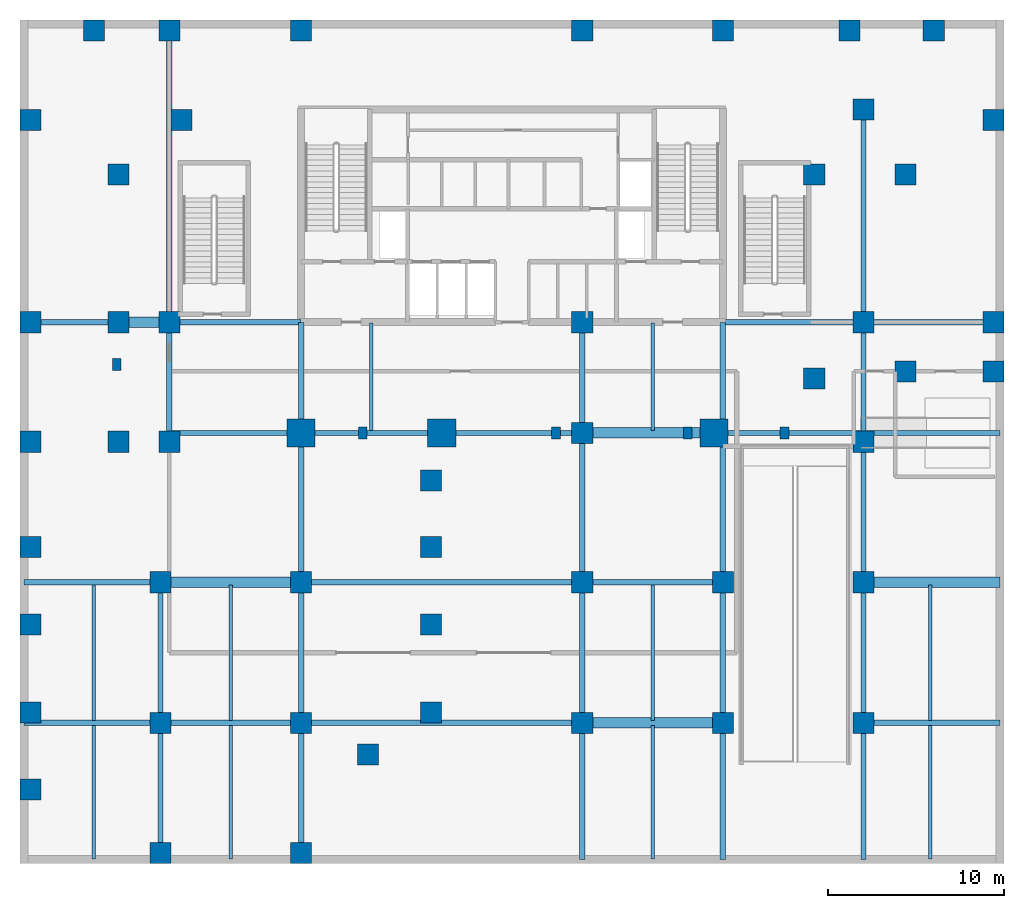
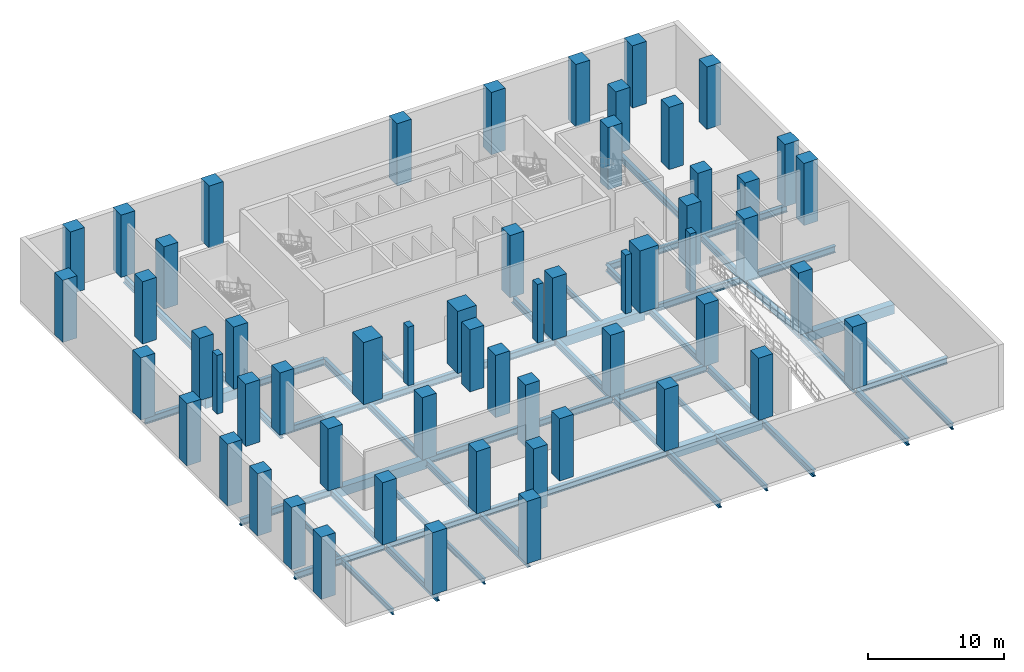
# One storey, part 1 of 5: 57 columns, 52 beams.
"""IFC4 building model written with IfcOpenShell, lengths in metres."""

from ifc_helpers import new_model, si_unit, direction, frame, origin, origin_2d, place, context, subcontext, project, spatial, rectangle, i_section, extrude, material, material_profile, profile_set, type_object, element, save


model = new_model("IFC4")

# Units and contexts
model_context = context("Model", 3, precision=1e-05, world=origin(), true_north=direction((0.0, 1.0)))
body_context = subcontext(model_context, "Body", "Model", "MODEL_VIEW")
ifc_project = project(units=[si_unit("LENGTHUNIT", "METRE"), si_unit("AREAUNIT", "SQUARE_METRE"), si_unit("VOLUMEUNIT", "CUBIC_METRE"), si_unit("PLANEANGLEUNIT", "RADIAN"), si_unit("MASSUNIT", "GRAM", prefix="KILO")], contexts=[model_context])

# Site, building, storey
site_placement = place(None, origin())
site = spatial("IfcSite", under=ifc_project, at=site_placement, CompositionType="ELEMENT")
building_placement = place(site_placement, origin())
building = spatial("IfcBuilding", under=site, at=building_placement, Name="Catumbela Crestline Tower", CompositionType="ELEMENT")
storey_placement = place(building_placement, frame((0.0, 0.0, -5.6)))
storey = spatial("IfcBuildingStorey", under=building, at=storey_placement, Name="B01", CompositionType="ELEMENT", Elevation=-5.6)

# Columns
ifc_material_1 = material(Name="Concrete C50/60", Category="concrete")
ifc_material_profile_1 = material_profile(ifc_material_1, rectangle(XDim=0.5, YDim=0.7, at=origin_2d()), Name="RC 500x700")
ifc_profile_set_1 = profile_set([ifc_material_profile_1], Name="Concrete C50/60")
column_type_1 = type_object("IfcColumnType", Name="CP-500", PredefinedType="PILASTER", material=ifc_profile_set_1)
for number, where, z_axis, x_axis, name in (
    (1, (19.5, 24.5, 0.0), (0.0, 0.0, 1.0), (1.0, 0.0, 0.0), "B01 Galleria Architectural Pilaster 11"),
    (2, (30.5, 24.5, 0.0), (0.0, 0.0, 1.0), (1.0, 0.0, 0.0), "B01 Galleria Architectural Pilaster 12"),
    (3, (38.0, 24.5, 0.0), (0.0, 0.0, 1.0), (1.0, 0.0, 0.0), "B01 Galleria Architectural Pilaster 13"),
    (4, (43.5, 24.5, 0.0), (0.0, 0.0, 1.0), (1.0, 0.0, 0.0), "B01 Galleria Architectural Pilaster 14"),
    (5, (5.5, 28.4, 0.0), (0.0, 0.0, 1.0), (1.0, 0.0, 0.0), "B01 Galleria Architectural Pilaster 15"),
):
    element("IfcColumn", number, at=place(storey_placement, frame(where, z_axis=z_axis, x_axis=x_axis)), inside=storey, type_object=column_type_1, Name=name, PredefinedType="PILASTER", context=body_context, shape_type="SweptSolid", body=[
        extrude(rectangle(XDim=0.5, YDim=0.7, at=origin_2d()), origin(), (0.0, 0.0, 1.0), 5.28),
    ])
ifc_material_2 = material(Name="Concrete C60/75", Category="concrete")
ifc_material_profile_2 = material_profile(ifc_material_2, rectangle(XDim=1.2, YDim=1.2, at=origin_2d()), Name="RC 1200x1200")
ifc_profile_set_2 = profile_set([ifc_material_profile_2], Name="Concrete C60/75")
column_type_2 = type_object("IfcColumnType", Name="C-RC1200-C60", PredefinedType="COLUMN", material=ifc_profile_set_2)
for number, where, z_axis, x_axis, name in (
    (6, (8.5, 24.0, 0.0), (0.0, 0.0, 1.0), (1.0, 0.0, 0.0), "B01 Column C-08-24 (RC 1200x1200)"),
    (7, (32.0, 24.5, 0.0), (0.0, 0.0, 1.0), (1.0, 0.0, 0.0), "B01 Column C-32-24 (RC 1200x1200)"),
    (8, (5.6, 24.0, 0.0), (0.0, 0.0, 1.0), (1.0, 0.0, 0.0), "B01 Column C-05-24 (RC 1200x1200)"),
    (9, (5.6, 30.8, 0.0), (0.0, 0.0, 1.0), (1.0, 0.0, 0.0), "B01 Column C-05-31 (RC 1200x1200)"),
    (10, (5.6, 39.2, 0.0), (0.0, 0.0, 1.0), (1.0, 0.0, 0.0), "B01 Column C-05-43 (RC 1200x1200)"),
    (11, (8.5, 30.8, 0.0), (0.0, 0.0, 1.0), (1.0, 0.0, 0.0), "B01 Column C-08-31 (RC 1200x1200)"),
    (12, (9.2, 42.3, 0.0), (0.0, 0.0, 1.0), (1.0, 0.0, 0.0), "B01 Column C-08-43 (RC 1200x1200)"),
    (13, (45.2, 27.6, 0.0), (0.0, 0.0, 1.0), (1.0, 0.0, 0.0), "B01 Column C-46-24 (RC 1200x1200)"),
    (14, (45.2, 39.2, 0.0), (0.0, 0.0, 1.0), (1.0, 0.0, 0.0), "B01 Column C-46-43 (RC 1200x1200)"),
    (15, (0.6, 24.0, 0.0), (0.0, 0.0, 1.0), (1.0, 0.0, 0.0), "B01 Column C-00-24 (RC 1200x1200)"),
    (16, (0.6, 30.8, 0.0), (0.0, 0.0, 1.0), (1.0, 0.0, 0.0), "B01 Column C-00-31 (RC 1200x1200)"),
    (17, (0.6, 42.3, 0.0), (0.0, 0.0, 1.0), (1.0, 0.0, 0.0), "B01 Column C-00-43 (RC 1200x1200)"),
    (18, (4.2, 47.4, 0.0), (0.0, 0.0, 1.0), (1.0, 0.0, 0.0), "B01 Column C-00-48 (RC 1200x1200)"),
    (19, (8.5, 47.4, 0.0), (0.0, 0.0, 1.0), (1.0, 0.0, 0.0), "B01 Column C-08-48 (RC 1200x1200)"),
    (20, (16.0, 47.4, 0.0), (0.0, 0.0, 1.0), (1.0, 0.0, 0.0), "B01 Column C-16-48 (RC 1200x1200)"),
    (21, (32.0, 47.4, 0.0), (0.0, 0.0, 1.0), (1.0, 0.0, 0.0), "B01 Column C-32-48 (RC 1200x1200)"),
    (22, (40.0, 47.4, 0.0), (0.0, 0.0, 1.0), (1.0, 0.0, 0.0), "B01 Column C-40-48 (RC 1200x1200)"),
    (23, (47.2, 47.4, 0.0), (0.0, 0.0, 1.0), (1.0, 0.0, 0.0), "B01 Column C-48-48 (RC 1200x1200)"),
    (24, (50.4, 28.0, 0.0), (0.0, 0.0, 1.0), (1.0, 0.0, 0.0), "B01 Column C-51-24 (RC 1200x1200)"),
    (25, (50.4, 39.2, 0.0), (0.0, 0.0, 1.0), (1.0, 0.0, 0.0), "B01 Column C-51-43 (RC 1200x1200)"),
    (26, (55.4, 28.0, 0.0), (0.0, 0.0, 1.0), (1.0, 0.0, 0.0), "B01 Column C-56-24 (RC 1200x1200)"),
    (27, (55.4, 30.8, 0.0), (0.0, 0.0, 1.0), (1.0, 0.0, 0.0), "B01 Column C-56-31 (RC 1200x1200)"),
    (28, (55.4, 42.3, 0.0), (0.0, 0.0, 1.0), (1.0, 0.0, 0.0), "B01 Column C-56-43 (RC 1200x1200)"),
    (29, (52.0, 47.4, 0.0), (0.0, 0.0, 1.0), (1.0, 0.0, 0.0), "B01 Column C-56-48 (RC 1200x1200)"),
    (30, (0.6, 8.6, 0.0), (0.0, 0.0, 1.0), (1.0, 0.0, 0.0), "B01 Column C-00-05 (RC 1200x1200)"),
    (31, (0.6, 13.6, 0.0), (0.0, 0.0, 1.0), (1.0, 0.0, 0.0), "B01 Column C-00-10 (RC 1200x1200)"),
    (32, (0.6, 18.0, 0.0), (0.0, 0.0, 1.0), (1.0, 0.0, 0.0), "B01 Column C-00-16 (RC 1200x1200)"),
    (33, (0.6, 4.2, 0.0), (0.0, 0.0, 1.0), (1.0, 0.0, 0.0), "B01 Column C-00-03 (RC 1200x1200)"),
    (34, (8.0, 0.6, 0.0), (0.0, 0.0, 1.0), (1.0, 0.0, 0.0), "B01 Column C-08-00 (RC 1200x1200)"),
    (35, (16.0, 0.6, 0.0), (0.0, 0.0, 1.0), (1.0, 0.0, 0.0), "B01 Column C-16-00 (RC 1200x1200)"),
    (36, (19.8, 6.2, 0.0), (0.0, 0.0, 1.0), (1.0, 0.0, 0.0), "B01 Column C-24-05 (RC 1200x1200)"),
    (37, (23.4, 8.6, 0.0), (0.0, 0.0, 1.0), (1.0, 0.0, 0.0), "B01 Column C-23-08 (RC 1200x1200)"),
    (38, (23.4, 13.6, 0.0), (0.0, 0.0, 1.0), (1.0, 0.0, 0.0), "B01 Column C-24-10 (RC 1200x1200)"),
    (39, (23.4, 18.0, 0.0), (0.0, 0.0, 1.0), (1.0, 0.0, 0.0), "B01 Column C-24-16 (RC 1200x1200)"),
    (40, (23.4, 21.8, 0.0), (0.0, 0.0, 1.0), (1.0, 0.0, 0.0), "B01 Column C-24-21 (RC 1200x1200)"),
    (41, (8.0, 8.0, 0.0), (0.0, 0.0, 1.0), (1.0, 0.0, 0.0), "B01 Column C-08-08 (RC 1200x1200)"),
    (42, (16.0, 8.0, 0.0), (0.0, 0.0, 1.0), (1.0, 0.0, 0.0), "B01 Column C-16-08 (RC 1200x1200)"),
    (43, (32.0, 30.8, 0.0), (0.0, 0.0, 1.0), (1.0, 0.0, 0.0), "B01 Column C-32-31 (RC 1200x1200)"),
    (44, (32.0, 8.0, 0.0), (0.0, 0.0, 1.0), (1.0, 0.0, 0.0), "B01 Column C-32-08 (RC 1200x1200)"),
    (45, (40.0, 8.0, 0.0), (0.0, 0.0, 1.0), (1.0, 0.0, 0.0), "B01 Column C-40-08 (RC 1200x1200)"),
    (46, (48.0, 8.0, 0.0), (0.0, 0.0, 1.0), (1.0, 0.0, 0.0), "B01 Column C-48-08 (RC 1200x1200)"),
    (47, (8.0, 16.0, 0.0), (0.0, 0.0, 1.0), (1.0, 0.0, 0.0), "B01 Column C-08-16 (RC 1200x1200)"),
    (48, (16.0, 16.0, 0.0), (0.0, 0.0, 1.0), (1.0, 0.0, 0.0), "B01 Column C-16-16 (RC 1200x1200)"),
    (49, (32.0, 16.0, 0.0), (0.0, 0.0, 1.0), (1.0, 0.0, 0.0), "B01 Column C-32-16 (RC 1200x1200)"),
    (50, (40.0, 16.0, 0.0), (0.0, 0.0, 1.0), (1.0, 0.0, 0.0), "B01 Column C-40-16 (RC 1200x1200)"),
    (51, (48.0, 16.0, 0.0), (0.0, 0.0, 1.0), (1.0, 0.0, 0.0), "B01 Column C-48-16 (RC 1200x1200)"),
    (52, (48.0, 24.0, 0.0), (0.0, 0.0, 1.0), (1.0, 0.0, 0.0), "B01 Column C-48-24 (RC 1200x1200)"),
    (53, (48.0, 30.8, 0.0), (0.0, 0.0, 1.0), (1.0, 0.0, 0.0), "B01 Column C-48-31 (RC 1200x1200)"),
    (54, (48.0, 42.9, 0.0), (0.0, 0.0, 1.0), (1.0, 0.0, 0.0), "B01 Column C-48-43 (RC 1200x1200)"),
):
    element("IfcColumn", number, at=place(storey_placement, frame(where, z_axis=z_axis, x_axis=x_axis)), inside=storey, type_object=column_type_2, Name=name, PredefinedType="COLUMN", context=body_context, shape_type="SweptSolid", body=[
        extrude(rectangle(XDim=1.2, YDim=1.2, at=origin_2d()), origin(), (0.0, 0.0, 1.0), 5.6),
    ])
ifc_material_profile_3 = material_profile(ifc_material_2, rectangle(XDim=1.6, YDim=1.6, at=origin_2d()), Name="RC 1600x1600")
ifc_profile_set_3 = profile_set([ifc_material_profile_3], Name="Concrete C60/75")
column_type_3 = type_object("IfcColumnType", Name="C-RC1600-C60", PredefinedType="COLUMN", material=ifc_profile_set_3)
for number, where, z_axis, x_axis, name in (
    (55, (16.0, 24.5, 0.0), (0.0, 0.0, 1.0), (1.0, 0.0, 0.0), "B01 Column C-16-24 (RC 1600x1600)"),
    (56, (24.0, 24.5, 0.0), (0.0, 0.0, 1.0), (1.0, 0.0, 0.0), "B01 Column C-24-24 (RC 1600x1600)"),
    (57, (39.5, 24.5, 0.0), (0.0, 0.0, 1.0), (1.0, 0.0, 0.0), "B01 Column C-40-24 (RC 1600x1600)"),
):
    element("IfcColumn", number, at=place(storey_placement, frame(where, z_axis=z_axis, x_axis=x_axis)), inside=storey, type_object=column_type_3, Name=name, PredefinedType="COLUMN", context=body_context, shape_type="SweptSolid", body=[
        extrude(rectangle(XDim=1.6, YDim=1.6, at=origin_2d()), origin(), (0.0, 0.0, 1.0), 5.6),
    ])

# Beams
ifc_material_3 = material(Name="Structural steel S355J2", Category="steel")
ifc_material_profile_4 = material_profile(ifc_material_3, i_section(OverallWidth=0.3, OverallDepth=0.6, WebThickness=0.0155, FlangeThickness=0.03, FilletRadius=0.027, at=origin_2d()), Name="HEB 600")
ifc_profile_set_4 = profile_set([ifc_material_profile_4], Name="Structural steel S355J2")
beam_type_1 = type_object("IfcBeamType", Name="BG-HEB600", PredefinedType="BEAM", material=ifc_profile_set_4)
beam_1_placement = place(storey_placement, frame((0.23, 8.0, -0.6), z_axis=(1.0, 0.0, 0.0), x_axis=(0.0, 1.0, 0.0)))
element("IfcBeam", 58, at=beam_1_placement, inside=storey, type_object=beam_type_1, Name="B01 Beam BM-B01-EW01", PredefinedType="BEAM", context=body_context, shape_type="SweptSolid", body=[
    extrude(i_section(OverallWidth=0.3, OverallDepth=0.6, WebThickness=0.0155, FlangeThickness=0.03, FilletRadius=0.027, at=origin_2d()), origin(), (0.0, 0.0, 1.0), 7.69),
])
beam_2_placement = place(storey_placement, frame((8.08, 8.0, -0.6), z_axis=(1.0, 0.0, 0.0), x_axis=(0.0, 1.0, 0.0)))
element("IfcBeam", 59, at=beam_2_placement, inside=storey, type_object=beam_type_1, Name="B01 Beam BM-B01-EW02", PredefinedType="BEAM", context=body_context, shape_type="SweptSolid", body=[
    extrude(i_section(OverallWidth=0.3, OverallDepth=0.6, WebThickness=0.0155, FlangeThickness=0.03, FilletRadius=0.027, at=origin_2d()), origin(), (0.0, 0.0, 1.0), 7.91),
])
beam_3_placement = place(storey_placement, frame((16.08, 8.0, -0.6), z_axis=(1.0, 0.0, 0.0), x_axis=(0.0, 1.0, 0.0)))
element("IfcBeam", 60, at=beam_3_placement, inside=storey, type_object=beam_type_1, Name="B01 Beam BM-B01-EW03", PredefinedType="BEAM", context=body_context, shape_type="SweptSolid", body=[
    extrude(i_section(OverallWidth=0.3, OverallDepth=0.6, WebThickness=0.0155, FlangeThickness=0.03, FilletRadius=0.027, at=origin_2d()), origin(), (0.0, 0.0, 1.0), 15.84),
])
for number, where, z_axis, x_axis, name in (
    (61, (48.08, 8.0, -0.6), (1.0, 0.0, 0.0), (0.0, 1.0, 0.0), "B01 Beam BM-B01-EW06"),
    (62, (0.23, 16.0, -0.6), (1.0, 0.0, 0.0), (0.0, 1.0, 0.0), "B01 Beam BM-B01-EW07"),
):
    element("IfcBeam", number, at=place(storey_placement, frame(where, z_axis=z_axis, x_axis=x_axis)), inside=storey, type_object=beam_type_1, Name=name, PredefinedType="BEAM", context=body_context, shape_type="SweptSolid", body=[
        extrude(i_section(OverallWidth=0.3, OverallDepth=0.6, WebThickness=0.0155, FlangeThickness=0.03, FilletRadius=0.027, at=origin_2d()), origin(), (0.0, 0.0, 1.0), 7.69),
    ])
beam_4_placement = place(storey_placement, frame((16.08, 16.0, -0.6), z_axis=(1.0, 0.0, 0.0), x_axis=(0.0, 1.0, 0.0)))
element("IfcBeam", 63, at=beam_4_placement, inside=storey, type_object=beam_type_1, Name="B01 Beam BM-B01-EW09", PredefinedType="BEAM", context=body_context, shape_type="SweptSolid", body=[
    extrude(i_section(OverallWidth=0.3, OverallDepth=0.6, WebThickness=0.0155, FlangeThickness=0.03, FilletRadius=0.027, at=origin_2d()), origin(), (0.0, 0.0, 1.0), 15.84),
])
beam_5_placement = place(storey_placement, frame((32.08, 16.0, -0.6), z_axis=(1.0, 0.0, 0.0), x_axis=(0.0, 1.0, 0.0)))
element("IfcBeam", 64, at=beam_5_placement, inside=storey, type_object=beam_type_1, Name="B01 Beam BM-B01-EW10", PredefinedType="BEAM", context=body_context, shape_type="SweptSolid", body=[
    extrude(i_section(OverallWidth=0.3, OverallDepth=0.6, WebThickness=0.0155, FlangeThickness=0.03, FilletRadius=0.027, at=origin_2d()), origin(), (0.0, 0.0, 1.0), 7.84),
])
beam_6_placement = place(storey_placement, frame((8.58, 24.5, -0.6), z_axis=(1.0, 0.0, 0.0), x_axis=(0.0, 1.0, 0.0)))
element("IfcBeam", 65, at=beam_6_placement, inside=storey, type_object=beam_type_1, Name="B01 Beam BM-B01-EW13", PredefinedType="BEAM", context=body_context, shape_type="SweptSolid", body=[
    extrude(i_section(OverallWidth=0.3, OverallDepth=0.6, WebThickness=0.0155, FlangeThickness=0.03, FilletRadius=0.027, at=origin_2d()), origin(), (0.0, 0.0, 1.0), 7.41),
])
for number, where, z_axis, x_axis, name in (
    (66, (16.08, 24.5, -0.6), (1.0, 0.0, 0.0), (0.0, 1.0, 0.0), "B01 Beam BM-B01-EW14"),
    (67, (24.08, 24.5, -0.6), (1.0, 0.0, 0.0), (0.0, 1.0, 0.0), "B01 Beam BM-B01-EW15"),
):
    element("IfcBeam", number, at=place(storey_placement, frame(where, z_axis=z_axis, x_axis=x_axis)), inside=storey, type_object=beam_type_1, Name=name, PredefinedType="BEAM", context=body_context, shape_type="SweptSolid", body=[
        extrude(i_section(OverallWidth=0.3, OverallDepth=0.6, WebThickness=0.0155, FlangeThickness=0.03, FilletRadius=0.027, at=origin_2d()), origin(), (0.0, 0.0, 1.0), 7.84),
    ])
beam_7_placement = place(storey_placement, frame((39.58, 24.5, -0.6), z_axis=(1.0, 0.0, 0.0), x_axis=(0.0, 1.0, 0.0)))
element("IfcBeam", 68, at=beam_7_placement, inside=storey, type_object=beam_type_1, Name="B01 Beam BM-B01-EW17", PredefinedType="BEAM", context=body_context, shape_type="SweptSolid", body=[
    extrude(i_section(OverallWidth=0.3, OverallDepth=0.6, WebThickness=0.0155, FlangeThickness=0.03, FilletRadius=0.027, at=origin_2d()), origin(), (0.0, 0.0, 1.0), 8.34),
])
beam_8_placement = place(storey_placement, frame((48.08, 24.5, -0.6), z_axis=(1.0, 0.0, 0.0), x_axis=(0.0, 1.0, 0.0)))
element("IfcBeam", 69, at=beam_8_placement, inside=storey, type_object=beam_type_1, Name="B01 Beam BM-B01-EW18", PredefinedType="BEAM", context=body_context, shape_type="SweptSolid", body=[
    extrude(i_section(OverallWidth=0.3, OverallDepth=0.6, WebThickness=0.0155, FlangeThickness=0.03, FilletRadius=0.027, at=origin_2d()), origin(), (0.0, 0.0, 1.0), 7.69),
])
beam_9_placement = place(storey_placement, frame((0.68, 30.8, -0.6), z_axis=(1.0, 0.0, 0.0), x_axis=(0.0, 1.0, 0.0)))
element("IfcBeam", 70, at=beam_9_placement, inside=storey, type_object=beam_type_1, Name="B01 Beam BM-B01-EW19", PredefinedType="BEAM", context=body_context, shape_type="SweptSolid", body=[
    extrude(i_section(OverallWidth=0.3, OverallDepth=0.6, WebThickness=0.0155, FlangeThickness=0.03, FilletRadius=0.027, at=origin_2d()), origin(), (0.0, 0.0, 1.0), 4.84),
])
beam_10_placement = place(storey_placement, frame((8.58, 30.8, -0.6), z_axis=(1.0, 0.0, 0.0), x_axis=(0.0, 1.0, 0.0)))
element("IfcBeam", 71, at=beam_10_placement, inside=storey, type_object=beam_type_1, Name="B01 Beam BM-B01-EW21", PredefinedType="BEAM", context=body_context, shape_type="SweptSolid", body=[
    extrude(i_section(OverallWidth=0.3, OverallDepth=0.6, WebThickness=0.0155, FlangeThickness=0.03, FilletRadius=0.027, at=origin_2d()), origin(), (0.0, 0.0, 1.0), 7.41),
])
beam_11_placement = place(storey_placement, frame((40.01, 30.8, -0.6), z_axis=(1.0, 0.0, 0.0), x_axis=(0.0, 1.0, 0.0)))
element("IfcBeam", 72, at=beam_11_placement, inside=storey, type_object=beam_type_1, Name="B01 Beam BM-B01-EW22", PredefinedType="BEAM", context=body_context, shape_type="SweptSolid", body=[
    extrude(i_section(OverallWidth=0.3, OverallDepth=0.6, WebThickness=0.0155, FlangeThickness=0.03, FilletRadius=0.027, at=origin_2d()), origin(), (0.0, 0.0, 1.0), 7.91),
])
beam_12_placement = place(storey_placement, frame((48.08, 30.8, -0.6), z_axis=(1.0, 0.0, 0.0), x_axis=(0.0, 1.0, 0.0)))
element("IfcBeam", 73, at=beam_12_placement, inside=storey, type_object=beam_type_1, Name="B01 Beam BM-B01-EW23", PredefinedType="BEAM", context=body_context, shape_type="SweptSolid", body=[
    extrude(i_section(OverallWidth=0.3, OverallDepth=0.6, WebThickness=0.0155, FlangeThickness=0.03, FilletRadius=0.027, at=origin_2d()), origin(), (0.0, 0.0, 1.0), 7.24),
])
beam_13_placement = place(storey_placement, frame((8.0, 0.23, -0.6), z_axis=(0.0, 1.0, 0.0), x_axis=(-1.0, 0.0, 0.0)))
element("IfcBeam", 74, at=beam_13_placement, inside=storey, type_object=beam_type_1, Name="B01 Beam BM-B01-NS24", PredefinedType="BEAM", context=body_context, shape_type="SweptSolid", body=[
    extrude(i_section(OverallWidth=0.3, OverallDepth=0.6, WebThickness=0.0155, FlangeThickness=0.03, FilletRadius=0.027, at=origin_2d()), origin(), (0.0, 0.0, 1.0), 7.69),
])
beam_14_placement = place(storey_placement, frame((8.0, 8.08, -0.6), z_axis=(0.0, 1.0, 0.0), x_axis=(-1.0, 0.0, 0.0)))
element("IfcBeam", 75, at=beam_14_placement, inside=storey, type_object=beam_type_1, Name="B01 Beam BM-B01-NS25", PredefinedType="BEAM", context=body_context, shape_type="SweptSolid", body=[
    extrude(i_section(OverallWidth=0.3, OverallDepth=0.6, WebThickness=0.0155, FlangeThickness=0.03, FilletRadius=0.027, at=origin_2d()), origin(), (0.0, 0.0, 1.0), 7.84),
])
beam_15_placement = place(storey_placement, frame((8.5, 24.08, -0.6), z_axis=(0.0, 1.0, 0.0), x_axis=(-1.0, 0.0, 0.0)))
element("IfcBeam", 76, at=beam_15_placement, inside=storey, type_object=beam_type_1, Name="B01 Beam BM-B01-NS26", PredefinedType="BEAM", context=body_context, shape_type="SweptSolid", body=[
    extrude(i_section(OverallWidth=0.3, OverallDepth=0.6, WebThickness=0.0155, FlangeThickness=0.03, FilletRadius=0.027, at=origin_2d()), origin(), (0.0, 0.0, 1.0), 6.64),
])
beam_16_placement = place(storey_placement, frame((8.5, 30.88, -0.6), z_axis=(0.0, 1.0, 0.0), x_axis=(-1.0, 0.0, 0.0)))
element("IfcBeam", 77, at=beam_16_placement, inside=storey, type_object=beam_type_1, Name="B01 Beam BM-B01-NS27", PredefinedType="BEAM", context=body_context, shape_type="SweptSolid", body=[
    extrude(i_section(OverallWidth=0.3, OverallDepth=0.6, WebThickness=0.0155, FlangeThickness=0.03, FilletRadius=0.027, at=origin_2d()), origin(), (0.0, 0.0, 1.0), 16.44),
])
beam_17_placement = place(storey_placement, frame((16.0, 0.68, -0.6), z_axis=(0.0, 1.0, 0.0), x_axis=(-1.0, 0.0, 0.0)))
element("IfcBeam", 78, at=beam_17_placement, inside=storey, type_object=beam_type_1, Name="B01 Beam BM-B01-NS28", PredefinedType="BEAM", context=body_context, shape_type="SweptSolid", body=[
    extrude(i_section(OverallWidth=0.3, OverallDepth=0.6, WebThickness=0.0155, FlangeThickness=0.03, FilletRadius=0.027, at=origin_2d()), origin(), (0.0, 0.0, 1.0), 7.24),
])
beam_18_placement = place(storey_placement, frame((16.0, 8.08, -0.6), z_axis=(0.0, 1.0, 0.0), x_axis=(-1.0, 0.0, 0.0)))
element("IfcBeam", 79, at=beam_18_placement, inside=storey, type_object=beam_type_1, Name="B01 Beam BM-B01-NS29", PredefinedType="BEAM", context=body_context, shape_type="SweptSolid", body=[
    extrude(i_section(OverallWidth=0.3, OverallDepth=0.6, WebThickness=0.0155, FlangeThickness=0.03, FilletRadius=0.027, at=origin_2d()), origin(), (0.0, 0.0, 1.0), 7.84),
])
beam_19_placement = place(storey_placement, frame((16.0, 16.08, -0.6), z_axis=(0.0, 1.0, 0.0), x_axis=(-1.0, 0.0, 0.0)))
element("IfcBeam", 80, at=beam_19_placement, inside=storey, type_object=beam_type_1, Name="B01 Beam BM-B01-NS30", PredefinedType="BEAM", context=body_context, shape_type="SweptSolid", body=[
    extrude(i_section(OverallWidth=0.3, OverallDepth=0.6, WebThickness=0.0155, FlangeThickness=0.03, FilletRadius=0.027, at=origin_2d()), origin(), (0.0, 0.0, 1.0), 8.34),
])
beam_20_placement = place(storey_placement, frame((16.0, 24.58, -0.6), z_axis=(0.0, 1.0, 0.0), x_axis=(-1.0, 0.0, 0.0)))
element("IfcBeam", 81, at=beam_20_placement, inside=storey, type_object=beam_type_1, Name="B01 Beam BM-B01-NS31", PredefinedType="BEAM", context=body_context, shape_type="SweptSolid", body=[
    extrude(i_section(OverallWidth=0.3, OverallDepth=0.6, WebThickness=0.0155, FlangeThickness=0.03, FilletRadius=0.027, at=origin_2d()), origin(), (0.0, 0.0, 1.0), 6.21),
])
beam_21_placement = place(storey_placement, frame((32.0, 0.23, -0.6), z_axis=(0.0, 1.0, 0.0), x_axis=(-1.0, 0.0, 0.0)))
element("IfcBeam", 82, at=beam_21_placement, inside=storey, type_object=beam_type_1, Name="B01 Beam BM-B01-NS32", PredefinedType="BEAM", context=body_context, shape_type="SweptSolid", body=[
    extrude(i_section(OverallWidth=0.3, OverallDepth=0.6, WebThickness=0.0155, FlangeThickness=0.03, FilletRadius=0.027, at=origin_2d()), origin(), (0.0, 0.0, 1.0), 7.69),
])
beam_22_placement = place(storey_placement, frame((32.0, 8.08, -0.6), z_axis=(0.0, 1.0, 0.0), x_axis=(-1.0, 0.0, 0.0)))
element("IfcBeam", 83, at=beam_22_placement, inside=storey, type_object=beam_type_1, Name="B01 Beam BM-B01-NS33", PredefinedType="BEAM", context=body_context, shape_type="SweptSolid", body=[
    extrude(i_section(OverallWidth=0.3, OverallDepth=0.6, WebThickness=0.0155, FlangeThickness=0.03, FilletRadius=0.027, at=origin_2d()), origin(), (0.0, 0.0, 1.0), 7.84),
])
beam_23_placement = place(storey_placement, frame((32.0, 16.08, -0.6), z_axis=(0.0, 1.0, 0.0), x_axis=(-1.0, 0.0, 0.0)))
element("IfcBeam", 84, at=beam_23_placement, inside=storey, type_object=beam_type_1, Name="B01 Beam BM-B01-NS34", PredefinedType="BEAM", context=body_context, shape_type="SweptSolid", body=[
    extrude(i_section(OverallWidth=0.3, OverallDepth=0.6, WebThickness=0.0155, FlangeThickness=0.03, FilletRadius=0.027, at=origin_2d()), origin(), (0.0, 0.0, 1.0), 8.34),
])
beam_24_placement = place(storey_placement, frame((32.0, 24.58, -0.6), z_axis=(0.0, 1.0, 0.0), x_axis=(-1.0, 0.0, 0.0)))
element("IfcBeam", 85, at=beam_24_placement, inside=storey, type_object=beam_type_1, Name="B01 Beam BM-B01-NS35", PredefinedType="BEAM", context=body_context, shape_type="SweptSolid", body=[
    extrude(i_section(OverallWidth=0.3, OverallDepth=0.6, WebThickness=0.0155, FlangeThickness=0.03, FilletRadius=0.027, at=origin_2d()), origin(), (0.0, 0.0, 1.0), 6.21),
])
beam_25_placement = place(storey_placement, frame((40.0, 0.23, -0.6), z_axis=(0.0, 1.0, 0.0), x_axis=(-1.0, 0.0, 0.0)))
element("IfcBeam", 86, at=beam_25_placement, inside=storey, type_object=beam_type_1, Name="B01 Beam BM-B01-NS36", PredefinedType="BEAM", context=body_context, shape_type="SweptSolid", body=[
    extrude(i_section(OverallWidth=0.3, OverallDepth=0.6, WebThickness=0.0155, FlangeThickness=0.03, FilletRadius=0.027, at=origin_2d()), origin(), (0.0, 0.0, 1.0), 7.69),
])
beam_26_placement = place(storey_placement, frame((40.0, 8.08, -0.6), z_axis=(0.0, 1.0, 0.0), x_axis=(-1.0, 0.0, 0.0)))
element("IfcBeam", 87, at=beam_26_placement, inside=storey, type_object=beam_type_1, Name="B01 Beam BM-B01-NS37", PredefinedType="BEAM", context=body_context, shape_type="SweptSolid", body=[
    extrude(i_section(OverallWidth=0.3, OverallDepth=0.6, WebThickness=0.0155, FlangeThickness=0.03, FilletRadius=0.027, at=origin_2d()), origin(), (0.0, 0.0, 1.0), 7.84),
])
beam_27_placement = place(storey_placement, frame((40.0, 16.08, -0.6), z_axis=(0.0, 1.0, 0.0), x_axis=(-1.0, 0.0, 0.0)))
element("IfcBeam", 88, at=beam_27_placement, inside=storey, type_object=beam_type_1, Name="B01 Beam BM-B01-NS38", PredefinedType="BEAM", context=body_context, shape_type="SweptSolid", body=[
    extrude(i_section(OverallWidth=0.3, OverallDepth=0.6, WebThickness=0.0155, FlangeThickness=0.03, FilletRadius=0.027, at=origin_2d()), origin(), (0.0, 0.0, 1.0), 8.34),
])
beam_28_placement = place(storey_placement, frame((40.0, 24.58, -0.6), z_axis=(0.0, 1.0, 0.0), x_axis=(-1.0, 0.0, 0.0)))
element("IfcBeam", 89, at=beam_28_placement, inside=storey, type_object=beam_type_1, Name="B01 Beam BM-B01-NS39", PredefinedType="BEAM", context=body_context, shape_type="SweptSolid", body=[
    extrude(i_section(OverallWidth=0.3, OverallDepth=0.6, WebThickness=0.0155, FlangeThickness=0.03, FilletRadius=0.027, at=origin_2d()), origin(), (0.0, 0.0, 1.0), 6.21),
])
beam_29_placement = place(storey_placement, frame((48.0, 0.23, -0.6), z_axis=(0.0, 1.0, 0.0), x_axis=(-1.0, 0.0, 0.0)))
element("IfcBeam", 90, at=beam_29_placement, inside=storey, type_object=beam_type_1, Name="B01 Beam BM-B01-NS40", PredefinedType="BEAM", context=body_context, shape_type="SweptSolid", body=[
    extrude(i_section(OverallWidth=0.3, OverallDepth=0.6, WebThickness=0.0155, FlangeThickness=0.03, FilletRadius=0.027, at=origin_2d()), origin(), (0.0, 0.0, 1.0), 7.69),
])
for number, where, z_axis, x_axis, name in (
    (91, (48.0, 8.08, -0.6), (0.0, 1.0, 0.0), (-1.0, 0.0, 0.0), "B01 Beam BM-B01-NS41"),
    (92, (48.0, 16.08, -0.6), (0.0, 1.0, 0.0), (-1.0, 0.0, 0.0), "B01 Beam BM-B01-NS42"),
):
    element("IfcBeam", number, at=place(storey_placement, frame(where, z_axis=z_axis, x_axis=x_axis)), inside=storey, type_object=beam_type_1, Name=name, PredefinedType="BEAM", context=body_context, shape_type="SweptSolid", body=[
        extrude(i_section(OverallWidth=0.3, OverallDepth=0.6, WebThickness=0.0155, FlangeThickness=0.03, FilletRadius=0.027, at=origin_2d()), origin(), (0.0, 0.0, 1.0), 7.84),
    ])
beam_30_placement = place(storey_placement, frame((48.0, 24.08, -0.6), z_axis=(0.0, 1.0, 0.0), x_axis=(-1.0, 0.0, 0.0)))
element("IfcBeam", 93, at=beam_30_placement, inside=storey, type_object=beam_type_1, Name="B01 Beam BM-B01-NS43", PredefinedType="BEAM", context=body_context, shape_type="SweptSolid", body=[
    extrude(i_section(OverallWidth=0.3, OverallDepth=0.6, WebThickness=0.0155, FlangeThickness=0.03, FilletRadius=0.027, at=origin_2d()), origin(), (0.0, 0.0, 1.0), 6.64),
])
beam_31_placement = place(storey_placement, frame((48.0, 30.88, -0.6), z_axis=(0.0, 1.0, 0.0), x_axis=(-1.0, 0.0, 0.0)))
element("IfcBeam", 94, at=beam_31_placement, inside=storey, type_object=beam_type_1, Name="B01 Beam BM-B01-NS44", PredefinedType="BEAM", context=body_context, shape_type="SweptSolid", body=[
    extrude(i_section(OverallWidth=0.3, OverallDepth=0.6, WebThickness=0.0155, FlangeThickness=0.03, FilletRadius=0.027, at=origin_2d()), origin(), (0.0, 0.0, 1.0), 11.94),
])
ifc_material_profile_5 = material_profile(ifc_material_1, rectangle(XDim=0.6, YDim=0.85, at=origin_2d()), Name="RC 600x850")
ifc_profile_set_5 = profile_set([ifc_material_profile_5], Name="Concrete C50/60")
beam_type_2 = type_object("IfcBeamType", Name="BG-850", PredefinedType="BEAM", material=ifc_profile_set_5)
beam_32_placement = place(storey_placement, frame((32.08, 8.0, -0.725), z_axis=(1.0, 0.0, 0.0), x_axis=(0.0, 1.0, 0.0)))
element("IfcBeam", 95, at=beam_32_placement, inside=storey, type_object=beam_type_2, Name="B01 Beam BM-B01-EW04", PredefinedType="BEAM", context=body_context, shape_type="SweptSolid", body=[
    extrude(rectangle(XDim=0.6, YDim=0.85, at=origin_2d()), origin(), (0.0, 0.0, 1.0), 7.84),
])
beam_33_placement = place(storey_placement, frame((8.08, 16.0, -0.725), z_axis=(1.0, 0.0, 0.0), x_axis=(0.0, 1.0, 0.0)))
element("IfcBeam", 96, at=beam_33_placement, inside=storey, type_object=beam_type_2, Name="B01 Beam BM-B01-EW08", PredefinedType="BEAM", context=body_context, shape_type="SweptSolid", body=[
    extrude(rectangle(XDim=0.6, YDim=0.85, at=origin_2d()), origin(), (0.0, 0.0, 1.0), 7.91),
])
beam_34_placement = place(storey_placement, frame((48.08, 16.0, -0.725), z_axis=(1.0, 0.0, 0.0), x_axis=(0.0, 1.0, 0.0)))
element("IfcBeam", 97, at=beam_34_placement, inside=storey, type_object=beam_type_2, Name="B01 Beam BM-B01-EW12", PredefinedType="BEAM", context=body_context, shape_type="SweptSolid", body=[
    extrude(rectangle(XDim=0.6, YDim=0.85, at=origin_2d()), origin(), (0.0, 0.0, 1.0), 7.69),
])
beam_35_placement = place(storey_placement, frame((32.08, 24.5, -0.725), z_axis=(1.0, 0.0, 0.0), x_axis=(0.0, 1.0, 0.0)))
element("IfcBeam", 98, at=beam_35_placement, inside=storey, type_object=beam_type_2, Name="B01 Beam BM-B01-EW16", PredefinedType="BEAM", context=body_context, shape_type="SweptSolid", body=[
    extrude(rectangle(XDim=0.6, YDim=0.85, at=origin_2d()), origin(), (0.0, 0.0, 1.0), 7.34),
])
beam_36_placement = place(storey_placement, frame((5.68, 30.8, -0.725), z_axis=(1.0, 0.0, 0.0), x_axis=(0.0, 1.0, 0.0)))
element("IfcBeam", 99, at=beam_36_placement, inside=storey, type_object=beam_type_2, Name="B01 Beam BM-B01-EW20", PredefinedType="BEAM", context=body_context, shape_type="SweptSolid", body=[
    extrude(rectangle(XDim=0.6, YDim=0.85, at=origin_2d()), origin(), (0.0, 0.0, 1.0), 2.74),
])
ifc_material_profile_6 = material_profile(ifc_material_3, i_section(OverallWidth=0.2, OverallDepth=0.5, WebThickness=0.0102, FlangeThickness=0.016, FilletRadius=0.021, at=origin_2d()), Name="IPE 500")
ifc_profile_set_6 = profile_set([ifc_material_profile_6], Name="Structural steel S355J2")
beam_type_3 = type_object("IfcBeamType", Name="BJ-IPE500", PredefinedType="JOIST", material=ifc_profile_set_6)
beam_37_placement = place(storey_placement, frame((4.2, 0.24, -0.55), z_axis=(0.0, 1.0, 0.0), x_axis=(-1.0, 0.0, 0.0)))
element("IfcBeam", 100, at=beam_37_placement, inside=storey, type_object=beam_type_3, Name="B01 Joist JS-B01-45", PredefinedType="JOIST", context=body_context, shape_type="SweptSolid", body=[
    extrude(i_section(OverallWidth=0.2, OverallDepth=0.5, WebThickness=0.0102, FlangeThickness=0.016, FilletRadius=0.021, at=origin_2d()), origin(), (0.0, 0.0, 1.0), 7.613),
])
beam_38_placement = place(storey_placement, frame((4.2, 8.147, -0.55), z_axis=(0.0, 1.0, 0.0), x_axis=(-1.0, 0.0, 0.0)))
element("IfcBeam", 101, at=beam_38_placement, inside=storey, type_object=beam_type_3, Name="B01 Joist JS-B01-46", PredefinedType="JOIST", context=body_context, shape_type="SweptSolid", body=[
    extrude(i_section(OverallWidth=0.2, OverallDepth=0.5, WebThickness=0.0102, FlangeThickness=0.016, FilletRadius=0.021, at=origin_2d()), origin(), (0.0, 0.0, 1.0), 7.706),
])
beam_39_placement = place(storey_placement, frame((12.0, 0.24, -0.55), z_axis=(0.0, 1.0, 0.0), x_axis=(-1.0, 0.0, 0.0)))
element("IfcBeam", 102, at=beam_39_placement, inside=storey, type_object=beam_type_3, Name="B01 Joist JS-B01-47", PredefinedType="JOIST", context=body_context, shape_type="SweptSolid", body=[
    extrude(i_section(OverallWidth=0.2, OverallDepth=0.5, WebThickness=0.0102, FlangeThickness=0.016, FilletRadius=0.021, at=origin_2d()), origin(), (0.0, 0.0, 1.0), 7.613),
])
beam_40_placement = place(storey_placement, frame((12.0, 8.147, -0.55), z_axis=(0.0, 1.0, 0.0), x_axis=(-1.0, 0.0, 0.0)))
element("IfcBeam", 103, at=beam_40_placement, inside=storey, type_object=beam_type_3, Name="B01 Joist JS-B01-48", PredefinedType="JOIST", context=body_context, shape_type="SweptSolid", body=[
    extrude(i_section(OverallWidth=0.2, OverallDepth=0.5, WebThickness=0.0102, FlangeThickness=0.016, FilletRadius=0.021, at=origin_2d()), origin(), (0.0, 0.0, 1.0), 7.706),
])
beam_41_placement = place(storey_placement, frame((36.0, 0.24, -0.55), z_axis=(0.0, 1.0, 0.0), x_axis=(-1.0, 0.0, 0.0)))
element("IfcBeam", 104, at=beam_41_placement, inside=storey, type_object=beam_type_3, Name="B01 Joist JS-B01-49", PredefinedType="JOIST", context=body_context, shape_type="SweptSolid", body=[
    extrude(i_section(OverallWidth=0.2, OverallDepth=0.5, WebThickness=0.0102, FlangeThickness=0.016, FilletRadius=0.021, at=origin_2d()), origin(), (0.0, 0.0, 1.0), 7.613),
])
beam_42_placement = place(storey_placement, frame((36.0, 8.147, -0.55), z_axis=(0.0, 1.0, 0.0), x_axis=(-1.0, 0.0, 0.0)))
element("IfcBeam", 105, at=beam_42_placement, inside=storey, type_object=beam_type_3, Name="B01 Joist JS-B01-50", PredefinedType="JOIST", context=body_context, shape_type="SweptSolid", body=[
    extrude(i_section(OverallWidth=0.2, OverallDepth=0.5, WebThickness=0.0102, FlangeThickness=0.016, FilletRadius=0.021, at=origin_2d()), origin(), (0.0, 0.0, 1.0), 7.706),
])
beam_43_placement = place(storey_placement, frame((51.8, 0.24, -0.55), z_axis=(0.0, 1.0, 0.0), x_axis=(-1.0, 0.0, 0.0)))
element("IfcBeam", 106, at=beam_43_placement, inside=storey, type_object=beam_type_3, Name="B01 Joist JS-B01-51", PredefinedType="JOIST", context=body_context, shape_type="SweptSolid", body=[
    extrude(i_section(OverallWidth=0.2, OverallDepth=0.5, WebThickness=0.0102, FlangeThickness=0.016, FilletRadius=0.021, at=origin_2d()), origin(), (0.0, 0.0, 1.0), 7.613),
])
beam_44_placement = place(storey_placement, frame((51.8, 8.147, -0.55), z_axis=(0.0, 1.0, 0.0), x_axis=(-1.0, 0.0, 0.0)))
element("IfcBeam", 107, at=beam_44_placement, inside=storey, type_object=beam_type_3, Name="B01 Joist JS-B01-52", PredefinedType="JOIST", context=body_context, shape_type="SweptSolid", body=[
    extrude(i_section(OverallWidth=0.2, OverallDepth=0.5, WebThickness=0.0102, FlangeThickness=0.016, FilletRadius=0.021, at=origin_2d()), origin(), (0.0, 0.0, 1.0), 7.706),
])
for number, where, z_axis, x_axis, name in (
    (108, (20.0, 24.647, -0.55), (0.0, 1.0, 0.0), (-1.0, 0.0, 0.0), "B01 Joist JS-B01-53"),
    (109, (36.0, 24.647, -0.55), (0.0, 1.0, 0.0), (-1.0, 0.0, 0.0), "B01 Joist JS-B01-55"),
):
    element("IfcBeam", number, at=place(storey_placement, frame(where, z_axis=z_axis, x_axis=x_axis)), inside=storey, type_object=beam_type_3, Name=name, PredefinedType="JOIST", context=body_context, shape_type="SweptSolid", body=[
        extrude(i_section(OverallWidth=0.2, OverallDepth=0.5, WebThickness=0.0102, FlangeThickness=0.016, FilletRadius=0.021, at=origin_2d()), origin(), (0.0, 0.0, 1.0), 6.113),
    ])

save(model, "model.ifc")
